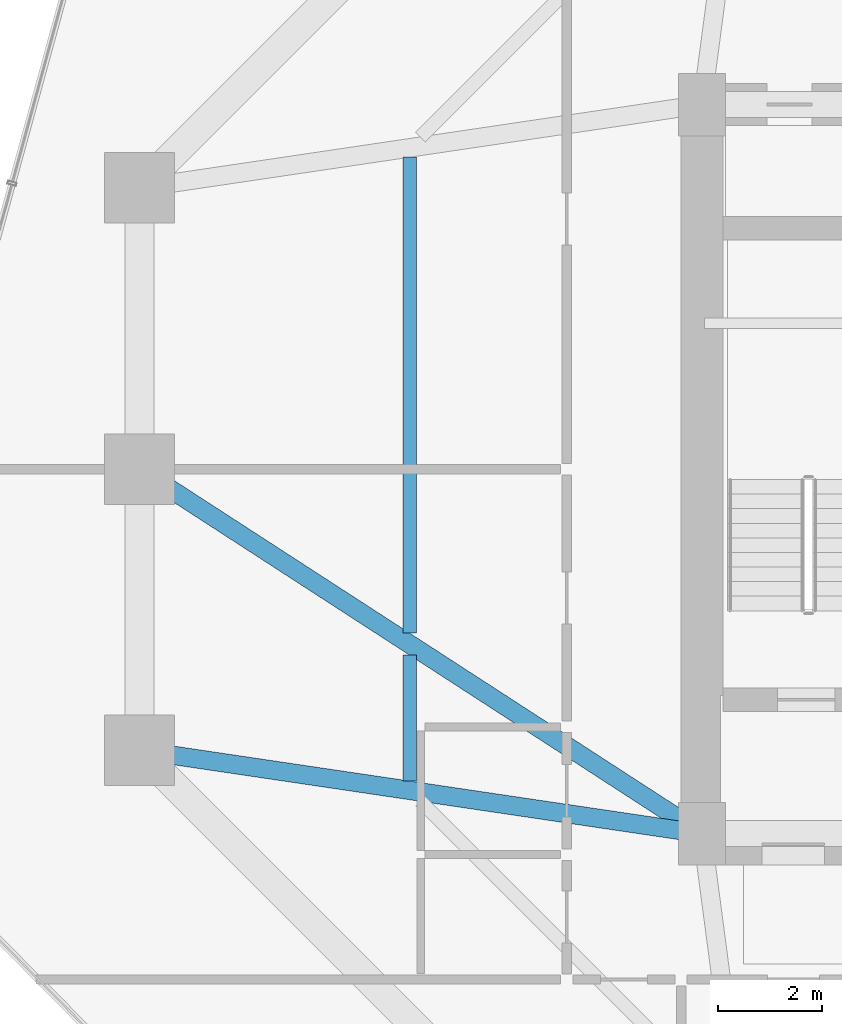
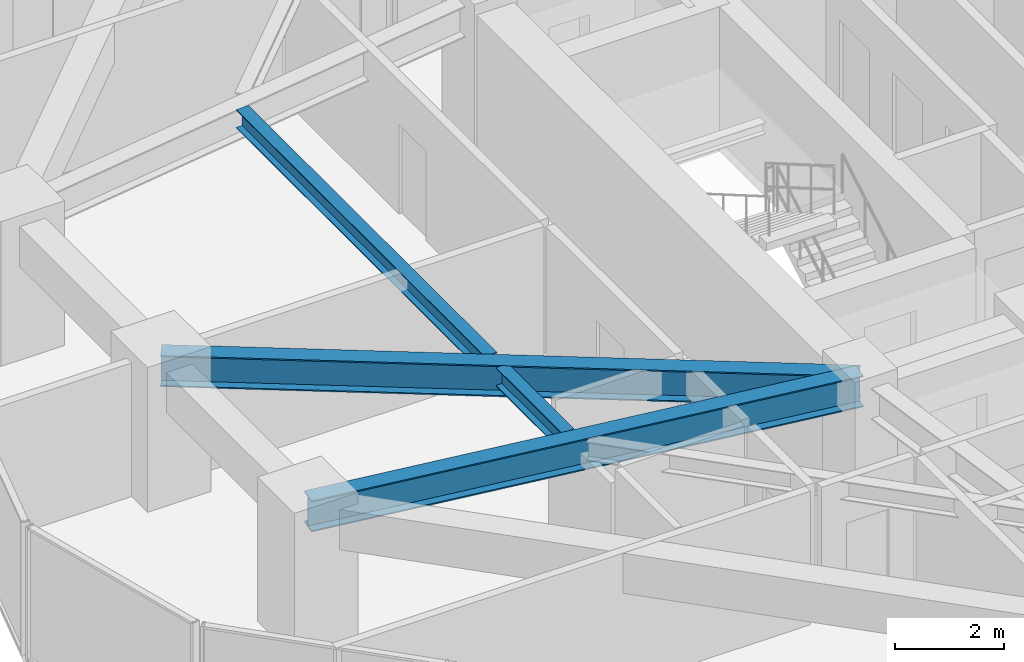
# One storey, part 10 of 39: 4 beams.
"""IFC4 building model written with IfcOpenShell, lengths in metres."""

from ifc_helpers import new_model, si_unit, direction, frame, origin, origin_2d, place, context, subcontext, project, spatial, i_section, extrude, material, material_profile, profile_set, type_object, element, save


model = new_model("IFC4")

# Units and contexts
model_context = context("Model", 3, precision=1e-05, world=origin(), true_north=direction((0.0, 1.0)))
body_context = subcontext(model_context, "Body", "Model", "MODEL_VIEW")
ifc_project = project(units=[si_unit("LENGTHUNIT", "METRE"), si_unit("AREAUNIT", "SQUARE_METRE"), si_unit("VOLUMEUNIT", "CUBIC_METRE"), si_unit("PLANEANGLEUNIT", "RADIAN"), si_unit("MASSUNIT", "GRAM", prefix="KILO")], contexts=[model_context])

# Site, building, storey
site_placement = place(None, origin())
site = spatial("IfcSite", under=ifc_project, at=site_placement, CompositionType="ELEMENT")
building_placement = place(site_placement, origin())
building = spatial("IfcBuilding", under=site, at=building_placement, Name="Veraguas Prism Commons", CompositionType="ELEMENT")
storey_placement = place(building_placement, frame((0.0, 0.0, 73.85009765625)))
storey = spatial("IfcBuildingStorey", under=building, at=storey_placement, Name="L20", CompositionType="ELEMENT", Elevation=73.85009765625)

# Beams
ifc_material = material(Name="Steel ASTM A992 Grade 50", Category="steel")
ifc_material_profile_1 = material_profile(ifc_material, i_section(OverallWidth=0.260986328125, OverallDepth=0.419921875, WebThickness=0.01171875, FlangeThickness=0.019287109375, at=origin_2d()), Name="W410X114")
ifc_profile_set_1 = profile_set([ifc_material_profile_1], Name="Steel ASTM A992 Grade 50")
beam_type_1 = type_object("IfcBeamType", Name="Lower Floor Joist W410x114", PredefinedType="JOIST", material=ifc_profile_set_1)
beam_1_placement = place(storey_placement, frame((11.583984375, 29.989990234375, 2.789794921875), z_axis=(0.0, -1.0, 0.0), x_axis=(1.0, 0.0, 0.0)))
element("IfcBeam", 1, at=beam_1_placement, inside=storey, type_object=beam_type_1, Name="Composite Floor Joist L20-JS07", PredefinedType="JOIST", context=body_context, shape_type="SweptSolid", body=[
    extrude(i_section(OverallWidth=0.260986328125, OverallDepth=0.419921875, WebThickness=0.01171875, FlangeThickness=0.019287109375, at=origin_2d()), origin(), (0.0, 0.0, 1.0), 9.140380859375),
])
beam_2_placement = place(storey_placement, frame((11.583984375, 20.430419921875, 2.789794921875), z_axis=(0.0, -1.0, 0.0), x_axis=(1.0, 0.0, 0.0)))
element("IfcBeam", 2, at=beam_2_placement, inside=storey, type_object=beam_type_1, Name="Composite Floor Joist L20-JS08", PredefinedType="JOIST", context=body_context, shape_type="SweptSolid", body=[
    extrude(i_section(OverallWidth=0.260986328125, OverallDepth=0.419921875, WebThickness=0.01171875, FlangeThickness=0.019287109375, at=origin_2d()), origin(), (0.0, 0.0, 1.0), 2.42041015625),
])
ifc_material_profile_2 = material_profile(ifc_material, i_section(OverallWidth=0.35595703125, OverallDepth=0.700927734375, WebThickness=0.016845703125, FlangeThickness=0.02734375, at=origin_2d()), Name="W690X240")
ifc_profile_set_2 = profile_set([ifc_material_profile_2], Name="Steel ASTM A992 Grade 50")
beam_type_2 = type_object("IfcBeamType", Name="Zone 1 Radial Girder W690x240", PredefinedType="BEAM", material=ifc_profile_set_2)
beam_3_placement = place(storey_placement, frame((6.39990234375, 24.0, 2.6494140625), z_axis=(0.839154108875, -0.543893722668, 0.0), x_axis=(0.543893722668, 0.839154108875, 0.0)))
element("IfcBeam", 3, at=beam_3_placement, inside=storey, type_object=beam_type_2, Name="Radial Floor Girder L20-RD08", PredefinedType="BEAM", context=body_context, shape_type="SweptSolid", body=[
    extrude(i_section(OverallWidth=0.35595703125, OverallDepth=0.700927734375, WebThickness=0.016845703125, FlangeThickness=0.02734375, at=origin_2d()), origin(), (0.0, 0.0, 1.0), 12.8701171875),
])
beam_4_placement = place(storey_placement, frame((6.39990234375, 18.60009765625, 2.6494140625), z_axis=(0.989202261707, -0.146556765224, 0.0), x_axis=(0.146556765224, 0.989202261707, 0.0)))
element("IfcBeam", 4, at=beam_4_placement, inside=storey, type_object=beam_type_2, Name="Radial Floor Girder L20-RD09", PredefinedType="BEAM", context=body_context, shape_type="SweptSolid", body=[
    extrude(i_section(OverallWidth=0.35595703125, OverallDepth=0.700927734375, WebThickness=0.016845703125, FlangeThickness=0.02734375, at=origin_2d()), origin(), (0.0, 0.0, 1.0), 10.91796875),
])

save(model, "model.ifc")
